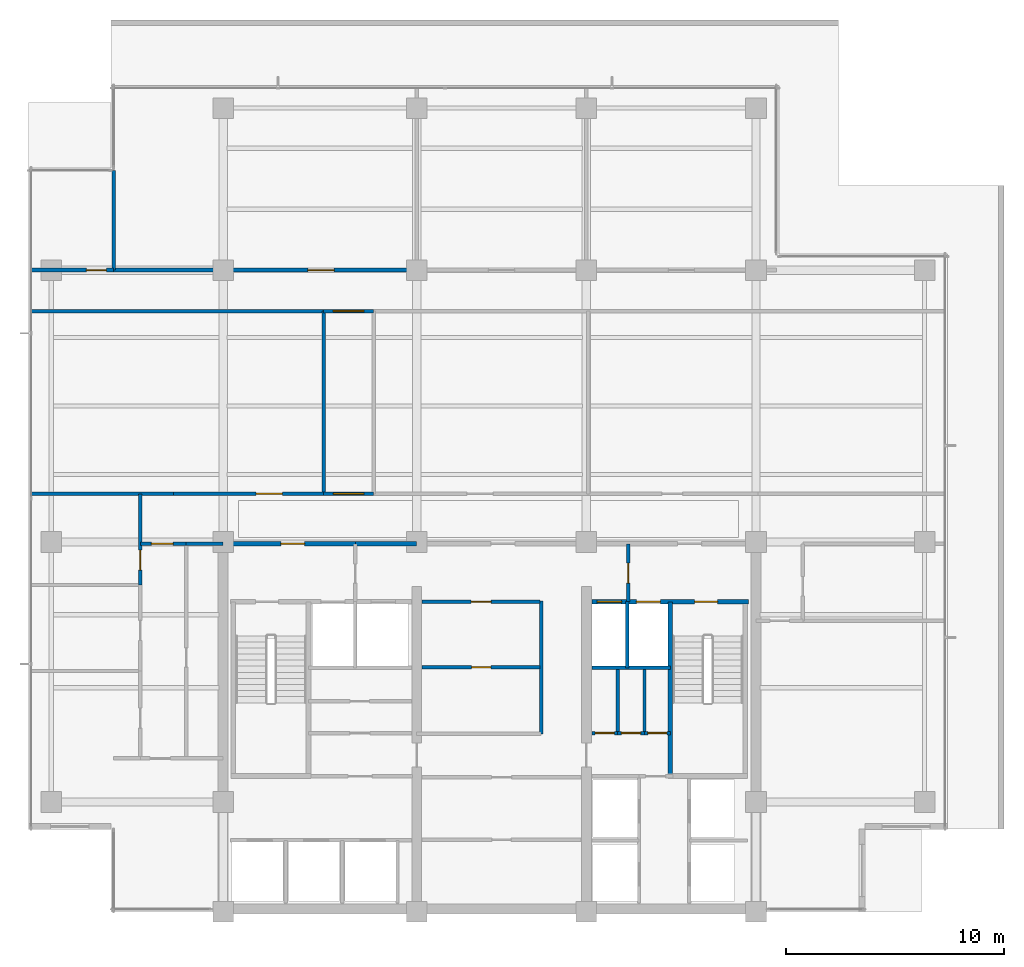
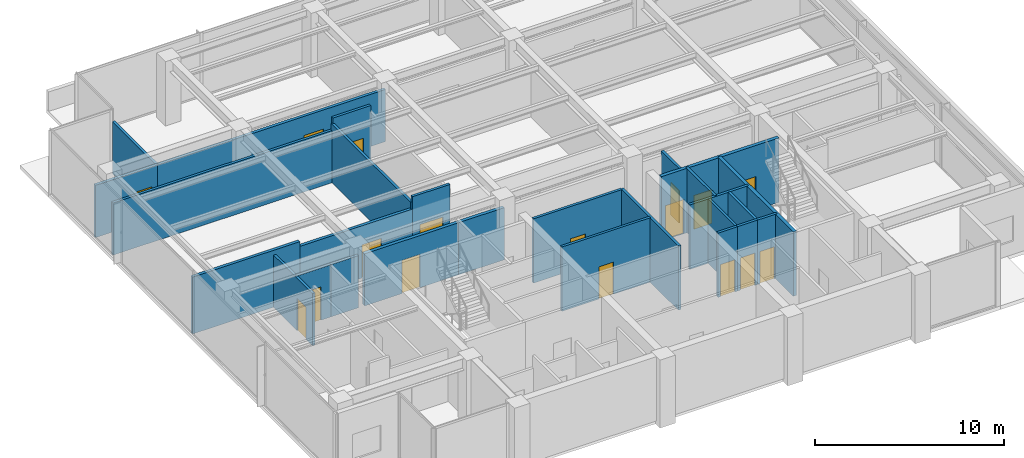
# One storey, part 8 of 14: 27 walls, 17 doors, 17 openings.
"""IFC4 building model written with IfcOpenShell, lengths in metres."""

from ifc_helpers import new_model, si_unit, direction, frame, frame_2d, origin, place, context, subcontext, project, spatial, rectangle, extrude, material, layer, layer_set, type_object, element, fill, save


model = new_model("IFC4")

# Units and contexts
model_context = context("Model", 3, precision=1e-05, world=origin(), true_north=direction((0.0, 1.0)))
body_context = subcontext(model_context, "Body", "Model", "MODEL_VIEW")
ifc_project = project(units=[si_unit("LENGTHUNIT", "METRE"), si_unit("AREAUNIT", "SQUARE_METRE"), si_unit("VOLUMEUNIT", "CUBIC_METRE"), si_unit("PLANEANGLEUNIT", "RADIAN"), si_unit("MASSUNIT", "GRAM", prefix="KILO")], contexts=[model_context])

# Site, building, storey
site_placement = place(None, origin())
site = spatial("IfcSite", under=ifc_project, at=site_placement, CompositionType="ELEMENT")
building_placement = place(site_placement, origin())
building = spatial("IfcBuilding", under=site, at=building_placement, Name="Qalmaran Belvedere Hotel", CompositionType="ELEMENT")
storey_placement = place(building_placement, frame((0.0, 0.0, 192.5)))
storey = spatial("IfcBuildingStorey", under=building, at=storey_placement, Name="L48", CompositionType="ELEMENT", Elevation=192.5)

# Walls
ifc_material_1 = material(Name="Gypsum Stud Partition")
ifc_layer_1 = layer(ifc_material_1, 0.14990234375, Name="Gypsum Stud Partition")
ifc_layer_set_1 = layer_set([ifc_layer_1], Name="Gypsum Stud Partition")
wall_type_1 = type_object("IfcWallType", Name="WL-INT-150-EI120", PredefinedType="PARTITIONING", material=ifc_layer_set_1)
wall_1_placement = place(storey_placement, frame((38.8798828125, 14.719970703125, 0.0), z_axis=(0.0, 0.0, 1.0), x_axis=(0.0, 1.0, 0.0)))
element("IfcWall", 1, at=wall_1_placement, inside=storey, type_object=wall_type_1, Name="L48 Partition WL-FF2M-L48", PredefinedType="PARTITIONING", context=body_context, shape_type="SweptSolid", body=[
    extrude(rectangle(XDim=3.0400390625, YDim=0.14990234375, at=frame_2d((1.52001953125, 0.0))), origin(), (0.0, 0.0, 1.0), 4.159912109375),
])
ifc_layer_2 = layer(ifc_material_1, 0.14990234375, Name="Gypsum Stud Partition")
ifc_layer_set_2 = layer_set([ifc_layer_2], Name="Gypsum Stud Partition")
wall_type_2 = type_object("IfcWallType", Name="WL-INT-150-EI60", PredefinedType="PARTITIONING", material=ifc_layer_set_2)
for number, where, z_axis, x_axis, name in (
    (2, (38.44140625, 11.719970703125, 0.0), (0.0, 0.0, 1.0), (0.0, 1.0, 0.0), "L48 Partition WL-L48-KEV1"),
    (3, (39.668701171875, 11.719970703125, 0.0), (0.0, 0.0, 1.0), (0.0, 1.0, 0.0), "L48 Partition WL-L48-KEV2"),
):
    element("IfcWall", number, at=place(storey_placement, frame(where, z_axis=z_axis, x_axis=x_axis)), inside=storey, type_object=wall_type_2, Name=name, PredefinedType="PARTITIONING", context=body_context, shape_type="SweptSolid", body=[
        extrude(rectangle(XDim=2.929931640625, YDim=0.14990234375, at=frame_2d((1.46484375, 0.0))), origin(), (0.0, 0.0, 1.0), 4.159912109375),
    ])

# Wall, opening, door
wall_2_placement = place(storey_placement, frame((29.449951171875, 14.7451171875, 0.0), z_axis=(0.0, 0.0, 1.0), x_axis=(1.0, 0.0, 0.0)))
wall_2 = element("IfcWall", 4, at=wall_2_placement, inside=storey, type_object=wall_type_2, Name="L48 Partition WL-L48-KPMHM", PredefinedType="PARTITIONING", context=body_context, shape_type="SweptSolid", body=[
    extrude(rectangle(XDim=5.429931640625, YDim=0.14990234375, at=frame_2d((2.71484375, 0.0))), origin(), (0.0, 0.0, 1.0), 4.159912109375),
])
opening_1_placement = place(wall_2_placement, frame((3.15478515625, 0.0, 0.0), z_axis=(0.0, 0.0, 1.0), x_axis=(-1.0, 0.0, 0.0)))
opening_1 = element("IfcOpeningElement", 5, at=opening_1_placement, cuts=wall_2, Name="Opening FD60B", PredefinedType="OPENING", context=body_context, shape_type="SweptSolid", body=[
    extrude(rectangle(XDim=0.8798828125, YDim=2.080078125, at=frame_2d((0.43994140625, 1.0400390625))), frame((0.0, 0.0849609375, 0.0), z_axis=(0.0, -1.0, 0.0), x_axis=(1.0, 0.0, 0.0)), (0.0, 0.0, 1.0), 0.169921875),
])
ifc_material_2 = material(Name="Steel S355JR", Category="steel")
door_type_1 = type_object("IfcDoorType", Name="DR-FD60B-880X2080", OperationType="NOTDEFINED", PredefinedType="DOOR", material=ifc_material_2)
door_1_placement = place(opening_1_placement, origin())
door_1 = element("IfcDoor", 6, at=door_1_placement, inside=storey, type_object=door_type_1, Name="L48 Executive Butler Pantry Door", OperationType="SINGLE_SWING_LEFT", OverallHeight=2.080078125, OverallWidth=0.8798828125, PredefinedType="DOOR", context=body_context, shape_type="SweptSolid", body=[
    extrude(rectangle(XDim=0.8798828125, YDim=2.080078125, at=frame_2d((0.43994140625, 1.0400390625))), frame((0.0, 0.02490234375, 0.0), z_axis=(0.0, -1.0, 0.0), x_axis=(1.0, 0.0, 0.0)), (0.0, 0.0, 1.0), 0.050048828125),
])
fill(opening_1, door_1)

ifc_layer_3 = layer(ifc_material_1, 0.159912109375, Name="Gypsum Stud Partition")
ifc_layer_set_3 = layer_set([ifc_layer_3], Name="Gypsum Stud Partition")
wall_type_3 = type_object("IfcWallType", Name="WL-INT-160-EI120", PredefinedType="PARTITIONING", material=ifc_layer_set_3)
wall_3_placement = place(storey_placement, frame((38.919921875, 17.760009765625, 0.0), z_axis=(0.0, 0.0, 1.0), x_axis=(0.0, 1.0, 0.0)))
wall_3 = element("IfcWall", 7, at=wall_3_placement, inside=storey, type_object=wall_type_3, Name="L48 Partition WL-FFSV2-L48", PredefinedType="PARTITIONING", context=body_context, shape_type="SweptSolid", body=[
    extrude(rectangle(XDim=2.659912109375, YDim=0.159912109375, at=frame_2d((1.330078125, 0.0))), origin(), (0.0, 0.0, 1.0), 3.60595703125),
])
opening_2_placement = place(wall_3_placement, frame((1.77001953125, 0.0, 0.0), z_axis=(0.0, 0.0, 1.0), x_axis=(-1.0, 0.0, 0.0)))
opening_2 = element("IfcOpeningElement", 8, at=opening_2_placement, cuts=wall_3, Name="Opening FD60S1", PredefinedType="OPENING", context=body_context, shape_type="SweptSolid", body=[
    extrude(rectangle(XDim=0.919921875, YDim=2.080078125, at=frame_2d((0.4599609375, 1.0400390625))), frame((0.0, 0.08984375, 0.0), z_axis=(0.0, -1.0, 0.0), x_axis=(1.0, 0.0, 0.0)), (0.0, 0.0, 1.0), 0.179931640625),
])
ifc_material_3 = material(Name="Engineered Oak Veneer")
door_type_2 = type_object("IfcDoorType", Name="DR-FD60S-920X2080", OperationType="NOTDEFINED", PredefinedType="DOOR", material=ifc_material_3)
door_2_placement = place(opening_2_placement, origin())
door_2 = element("IfcDoor", 9, at=door_2_placement, inside=storey, type_object=door_type_2, Name="L48 Service Lobby East Door", OperationType="SINGLE_SWING_LEFT", OverallHeight=2.080078125, OverallWidth=0.919921875, PredefinedType="DOOR", context=body_context, shape_type="SweptSolid", body=[
    extrude(rectangle(XDim=0.919921875, YDim=2.080078125, at=frame_2d((0.4599609375, 1.0400390625))), frame((0.0, 0.02490234375, 0.0), z_axis=(0.0, -1.0, 0.0), x_axis=(1.0, 0.0, 0.0)), (0.0, 0.0, 1.0), 0.050048828125),
])
fill(opening_2, door_2)

# Wall
wall_4_placement = place(storey_placement, frame((37.25, 14.719970703125, 0.0), z_axis=(0.0, 0.0, 1.0), x_axis=(1.0, 0.0, 0.0)))
element("IfcWall", 10, at=wall_4_placement, inside=storey, type_object=wall_type_3, Name="L48 Partition WL-FF2S-L48", PredefinedType="PARTITIONING", context=body_context, shape_type="SweptSolid", body=[
    extrude(rectangle(XDim=3.610107421875, YDim=0.159912109375, at=frame_2d((1.80517578125, 0.0))), origin(), (0.0, 0.0, 1.0), 4.159912109375),
])

# Wall, opening, door
ifc_layer_4 = layer(ifc_material_1, 0.159912109375, Name="Gypsum Stud Partition")
ifc_layer_set_4 = layer_set([ifc_layer_4], Name="Gypsum Stud Partition")
wall_type_4 = type_object("IfcWallType", Name="WL-INT-160-EI60", PredefinedType="PARTITIONING", material=ifc_layer_set_4)
wall_5_placement = place(storey_placement, frame((37.25, 11.719970703125, 0.0), z_axis=(0.0, 0.0, 1.0), x_axis=(1.0, 0.0, 0.0)))
wall_5 = element("IfcWall", 11, at=wall_5_placement, inside=storey, type_object=wall_type_4, Name="L48 Partition WL-L48-KEE1", PredefinedType="PARTITIONING", context=body_context, shape_type="SweptSolid", body=[
    extrude(rectangle(XDim=1.19140625, YDim=0.159912109375, at=frame_2d((0.595703125, 0.0))), origin(), (0.0, 0.0, 1.0), 4.159912109375),
])
opening_3_placement = place(wall_5_placement, frame((0.155517578125, 0.0, 0.0)))
opening_3 = element("IfcOpeningElement", 12, at=opening_3_placement, cuts=wall_5, Name="Opening FD60B", PredefinedType="OPENING", context=body_context, shape_type="SweptSolid", body=[
    extrude(rectangle(XDim=0.8798828125, YDim=2.080078125, at=frame_2d((0.43994140625, 1.0400390625))), frame((0.0, 0.08984375, 0.0), z_axis=(0.0, -1.0, 0.0), x_axis=(1.0, 0.0, 0.0)), (0.0, 0.0, 1.0), 0.179931640625),
])
door_3_placement = place(opening_3_placement, origin())
door_3 = element("IfcDoor", 13, at=door_3_placement, inside=storey, type_object=door_type_1, Name="L48 Hotel Linen Closet Door", OperationType="SINGLE_SWING_LEFT", OverallHeight=2.080078125, OverallWidth=0.8798828125, PredefinedType="DOOR", context=body_context, shape_type="SweptSolid", body=[
    extrude(rectangle(XDim=0.8798828125, YDim=2.080078125, at=frame_2d((0.43994140625, 1.0400390625))), frame((0.0, 0.02490234375, 0.0), z_axis=(0.0, -1.0, 0.0), x_axis=(1.0, 0.0, 0.0)), (0.0, 0.0, 1.0), 0.050048828125),
])
fill(opening_3, door_3)

wall_6_placement = place(storey_placement, frame((38.44140625, 11.719970703125, 0.0), z_axis=(0.0, 0.0, 1.0), x_axis=(1.0, 0.0, 0.0)))
wall_6 = element("IfcWall", 14, at=wall_6_placement, inside=storey, type_object=wall_type_4, Name="L48 Partition WL-L48-KEE2", PredefinedType="PARTITIONING", context=body_context, shape_type="SweptSolid", body=[
    extrude(rectangle(XDim=1.227294921875, YDim=0.159912109375, at=frame_2d((0.61376953125, 0.0))), origin(), (0.0, 0.0, 1.0), 4.159912109375),
])
opening_4_placement = place(wall_6_placement, frame((0.173583984375, 0.0, 0.0)))
opening_4 = element("IfcOpeningElement", 15, at=opening_4_placement, cuts=wall_6, Name="Opening FD60B", PredefinedType="OPENING", context=body_context, shape_type="SweptSolid", body=[
    extrude(rectangle(XDim=0.8798828125, YDim=2.080078125, at=frame_2d((0.43994140625, 1.0400390625))), frame((0.0, 0.08984375, 0.0), z_axis=(0.0, -1.0, 0.0), x_axis=(1.0, 0.0, 0.0)), (0.0, 0.0, 1.0), 0.179931640625),
])
door_4_placement = place(opening_4_placement, origin())
door_4 = element("IfcDoor", 16, at=door_4_placement, inside=storey, type_object=door_type_1, Name="L48 Guest Ice and Beverage Pantry Door", OperationType="SINGLE_SWING_RIGHT", OverallHeight=2.080078125, OverallWidth=0.8798828125, PredefinedType="DOOR", context=body_context, shape_type="SweptSolid", body=[
    extrude(rectangle(XDim=0.8798828125, YDim=2.080078125, at=frame_2d((0.43994140625, 1.0400390625))), frame((0.0, 0.02490234375, 0.0), z_axis=(0.0, -1.0, 0.0), x_axis=(1.0, 0.0, 0.0)), (0.0, 0.0, 1.0), 0.050048828125),
])
fill(opening_4, door_4)

wall_7_placement = place(storey_placement, frame((39.668701171875, 11.719970703125, 0.0), z_axis=(0.0, 0.0, 1.0), x_axis=(1.0, 0.0, 0.0)))
wall_7 = element("IfcWall", 17, at=wall_7_placement, inside=storey, type_object=wall_type_4, Name="L48 Partition WL-L48-KEE3", PredefinedType="PARTITIONING", context=body_context, shape_type="SweptSolid", body=[
    extrude(rectangle(XDim=1.19140625, YDim=0.159912109375, at=frame_2d((0.595703125, 0.0))), origin(), (0.0, 0.0, 1.0), 4.159912109375),
])
opening_5_placement = place(wall_7_placement, frame((0.155517578125, 0.0, 0.0)))
opening_5 = element("IfcOpeningElement", 18, at=opening_5_placement, cuts=wall_7, Name="Opening FD60B", PredefinedType="OPENING", context=body_context, shape_type="SweptSolid", body=[
    extrude(rectangle(XDim=0.8798828125, YDim=2.080078125, at=frame_2d((0.43994140625, 1.0400390625))), frame((0.0, 0.08984375, 0.0), z_axis=(0.0, -1.0, 0.0), x_axis=(1.0, 0.0, 0.0)), (0.0, 0.0, 1.0), 0.179931640625),
])
door_5_placement = place(opening_5_placement, origin())
door_5 = element("IfcDoor", 19, at=door_5_placement, inside=storey, type_object=door_type_1, Name="L48 Cleaner Equipment Store Door", OperationType="SINGLE_SWING_LEFT", OverallHeight=2.080078125, OverallWidth=0.8798828125, PredefinedType="DOOR", context=body_context, shape_type="SweptSolid", body=[
    extrude(rectangle(XDim=0.8798828125, YDim=2.080078125, at=frame_2d((0.43994140625, 1.0400390625))), frame((0.0, 0.02490234375, 0.0), z_axis=(0.0, -1.0, 0.0), x_axis=(1.0, 0.0, 0.0)), (0.0, 0.0, 1.0), 0.050048828125),
])
fill(opening_5, door_5)

# Wall
wall_8_placement = place(storey_placement, frame((34.919921875, 11.679931640625, 0.0), z_axis=(0.0, 0.0, 1.0), x_axis=(0.0, 1.0, 0.0)))
element("IfcWall", 20, at=wall_8_placement, inside=storey, type_object=wall_type_4, Name="L48 Partition WL-CLLV-L48", PredefinedType="PARTITIONING", context=body_context, shape_type="SweptSolid", body=[
    extrude(rectangle(XDim=6.10009765625, YDim=0.159912109375, at=frame_2d((3.050048828125, 0.0))), origin(), (0.0, 0.0, 1.0), 4.159912109375),
])

# Wall, opening, door
wall_9_placement = place(storey_placement, frame((29.449951171875, 17.75, 0.0), z_axis=(0.0, 0.0, 1.0), x_axis=(1.0, 0.0, 0.0)))
wall_9 = element("IfcWall", 21, at=wall_9_placement, inside=storey, type_object=wall_type_4, Name="L48 Partition WL-L48-KPME1", PredefinedType="PARTITIONING", context=body_context, shape_type="SweptSolid", body=[
    extrude(rectangle(XDim=5.429931640625, YDim=0.159912109375, at=frame_2d((2.71484375, 0.0))), origin(), (0.0, 0.0, 1.0), 4.159912109375),
])
opening_6_placement = place(wall_9_placement, frame((3.1748046875, 0.0, 0.0), z_axis=(0.0, 0.0, 1.0), x_axis=(-1.0, 0.0, 0.0)))
opening_6 = element("IfcOpeningElement", 22, at=opening_6_placement, cuts=wall_9, Name="Opening FD60S1", PredefinedType="OPENING", context=body_context, shape_type="SweptSolid", body=[
    extrude(rectangle(XDim=0.919921875, YDim=2.080078125, at=frame_2d((0.4599609375, 1.0400390625))), frame((0.0, 0.08984375, 0.0), z_axis=(0.0, -1.0, 0.0), x_axis=(1.0, 0.0, 0.0)), (0.0, 0.0, 1.0), 0.179931640625),
])
door_6_placement = place(opening_6_placement, origin())
door_6 = element("IfcDoor", 23, at=door_6_placement, inside=storey, type_object=door_type_2, Name="L48 Core Tableware Store Door", OperationType="SINGLE_SWING_RIGHT", OverallHeight=2.080078125, OverallWidth=0.919921875, PredefinedType="DOOR", context=body_context, shape_type="SweptSolid", body=[
    extrude(rectangle(XDim=0.919921875, YDim=2.080078125, at=frame_2d((0.4599609375, 1.0400390625))), frame((0.0, 0.02490234375, 0.0), z_axis=(0.0, -1.0, 0.0), x_axis=(1.0, 0.0, 0.0)), (0.0, 0.0, 1.0), 0.050048828125),
])
fill(opening_6, door_6)

wall_10_placement = place(storey_placement, frame((16.5, 18.52001953125, 0.0), z_axis=(0.0, 0.0, 1.0), x_axis=(0.0, 1.0, 0.0)))
wall_10 = element("IfcWall", 24, at=wall_10_placement, inside=storey, type_object=wall_type_4, Name="L48 Partition WL-L48-WCC3", PredefinedType="PARTITIONING", context=body_context, shape_type="SweptSolid", body=[
    extrude(rectangle(XDim=4.199951171875, YDim=0.159912109375, at=frame_2d((2.10009765625, 0.0))), origin(), (0.0, 0.0, 1.0), 3.3720703125),
])
opening_7_placement = place(wall_10_placement, frame((0.693359375, 0.0, 0.0)))
opening_7 = element("IfcOpeningElement", 25, at=opening_7_placement, cuts=wall_10, Name="Opening FD60S1", PredefinedType="OPENING", context=body_context, shape_type="SweptSolid", body=[
    extrude(rectangle(XDim=0.919921875, YDim=2.080078125, at=frame_2d((0.4599609375, 1.0400390625))), frame((0.0, 0.08984375, 0.0), z_axis=(0.0, -1.0, 0.0), x_axis=(1.0, 0.0, 0.0)), (0.0, 0.0, 1.0), 0.179931640625),
])
door_7_placement = place(opening_7_placement, origin())
door_7 = element("IfcDoor", 26, at=door_7_placement, inside=storey, type_object=door_type_2, Name="L48 Accessible WC Door", OperationType="SINGLE_SWING_LEFT", OverallHeight=2.080078125, OverallWidth=0.919921875, PredefinedType="DOOR", context=body_context, shape_type="SweptSolid", body=[
    extrude(rectangle(XDim=0.919921875, YDim=2.080078125, at=frame_2d((0.4599609375, 1.0400390625))), frame((0.0, 0.02490234375, 0.0), z_axis=(0.0, -1.0, 0.0), x_axis=(1.0, 0.0, 0.0)), (0.0, 0.0, 1.0), 0.050048828125),
])
fill(opening_7, door_7)

# Wall
wall_11_placement = place(storey_placement, frame((18.60009765625, 20.419921875, 0.0), z_axis=(0.0, 0.0, 1.0), x_axis=(1.0, 0.0, 0.0)))
element("IfcWall", 27, at=wall_11_placement, inside=storey, type_object=wall_type_4, Name="L48 Partition WL-L48-WCCEN", PredefinedType="PARTITIONING", context=body_context, shape_type="SweptSolid", body=[
    extrude(rectangle(XDim=1.699951171875, YDim=0.159912109375, at=frame_2d((0.85009765625, 0.0))), origin(), (0.0, 0.0, 1.0), 3.3720703125),
])

# Wall, opening, door
wall_12_placement = place(storey_placement, frame((16.5, 20.419921875, 0.0), z_axis=(0.0, 0.0, 1.0), x_axis=(1.0, 0.0, 0.0)))
wall_12 = element("IfcWall", 28, at=wall_12_placement, inside=storey, type_object=wall_type_4, Name="L48 Partition WL-L48-XCRW", PredefinedType="PARTITIONING", context=body_context, shape_type="SweptSolid", body=[
    extrude(rectangle(XDim=2.10009765625, YDim=0.159912109375, at=frame_2d((1.050048828125, 0.0))), origin(), (0.0, 0.0, 1.0), 3.3720703125),
])
opening_8_placement = place(wall_12_placement, frame((0.5, 0.0, 0.0)))
opening_8 = element("IfcOpeningElement", 29, at=opening_8_placement, cuts=wall_12, Name="Opening FD90B", PredefinedType="OPENING", context=body_context, shape_type="SweptSolid", body=[
    extrude(rectangle(XDim=1.0, YDim=2.14990234375, at=frame_2d((0.5, 1.074951171875))), frame((0.0, 0.08984375, 0.0), z_axis=(0.0, -1.0, 0.0), x_axis=(1.0, 0.0, 0.0)), (0.0, 0.0, 1.0), 0.179931640625),
])
door_type_3 = type_object("IfcDoorType", Name="DR-FD90B-1000X2150", OperationType="NOTDEFINED", PredefinedType="DOOR", material=ifc_material_2)
door_8_placement = place(opening_8_placement, origin())
door_8 = element("IfcDoor", 30, at=door_8_placement, inside=storey, type_object=door_type_3, Name="L48 Restroom Corridor Door", OperationType="SINGLE_SWING_LEFT", OverallHeight=2.14990234375, OverallWidth=1.0, PredefinedType="DOOR", context=body_context, shape_type="SweptSolid", body=[
    extrude(rectangle(XDim=1.0, YDim=2.14990234375, at=frame_2d((0.5, 1.074951171875))), frame((0.0, 0.02490234375, 0.0), z_axis=(0.0, -1.0, 0.0), x_axis=(1.0, 0.0, 0.0)), (0.0, 0.0, 1.0), 0.050048828125),
])
fill(opening_8, door_8)

# Walls
wall_13_placement = place(storey_placement, frame((15.27001953125, 33.0, 0.0), z_axis=(0.0, 0.0, 1.0), x_axis=(0.0, 1.0, 0.0)))
element("IfcWall", 31, at=wall_13_placement, inside=storey, type_object=wall_type_4, Name="L48 Partition WL-L48-VNWE", PredefinedType="PARTITIONING", context=body_context, shape_type="SweptSolid", body=[
    extrude(rectangle(XDim=4.580078125, YDim=0.159912109375, at=frame_2d((2.2900390625, 0.0))), origin(), (0.0, 0.0, 1.0), 3.3720703125),
])
wall_14_placement = place(storey_placement, frame((24.919921875, 22.719970703125, 0.0), z_axis=(0.0, 0.0, 1.0), x_axis=(0.0, 1.0, 0.0)))
element("IfcWall", 32, at=wall_14_placement, inside=storey, type_object=wall_type_4, Name="L48 Partition WL-L48-NPW", PredefinedType="PARTITIONING", context=body_context, shape_type="SweptSolid", body=[
    extrude(rectangle(XDim=8.400146484375, YDim=0.159912109375, at=frame_2d((4.2001953125, 0.0))), origin(), (0.0, 0.0, 1.0), 3.787109375),
])

# Wall, opening, door
wall_15_placement = place(storey_placement, frame((24.919921875, 22.719970703125, 0.0), z_axis=(0.0, 0.0, 1.0), x_axis=(1.0, 0.0, 0.0)))
wall_15 = element("IfcWall", 33, at=wall_15_placement, inside=storey, type_object=wall_type_4, Name="L48 Partition WL-L48-XNPS", PredefinedType="PARTITIONING", context=body_context, shape_type="SweptSolid", body=[
    extrude(rectangle(XDim=2.300048828125, YDim=0.159912109375, at=frame_2d((1.14990234375, 0.0))), origin(), (0.0, 0.0, 1.0), 4.159912109375),
])
opening_9_placement = place(wall_15_placement, frame((0.449951171875, 0.0, 0.0)))
opening_9 = element("IfcOpeningElement", 34, at=opening_9_placement, cuts=wall_15, Name="Opening FD90D", PredefinedType="OPENING", context=body_context, shape_type="SweptSolid", body=[
    extrude(rectangle(XDim=1.39990234375, YDim=2.199951171875, at=frame_2d((0.699951171875, 1.10009765625))), frame((0.0, 0.08984375, 0.0), z_axis=(0.0, -1.0, 0.0), x_axis=(1.0, 0.0, 0.0)), (0.0, 0.0, 1.0), 0.179931640625),
])
door_type_4 = type_object("IfcDoorType", Name="DR-FD90D-1400X2200", OperationType="NOTDEFINED", PredefinedType="DOOR", material=ifc_material_2)
door_9_placement = place(opening_9_placement, origin())
door_9 = element("IfcDoor", 35, at=door_9_placement, inside=storey, type_object=door_type_4, Name="L48 Promenade South Door", OperationType="DOUBLE_DOOR_SINGLE_SWING", OverallHeight=2.199951171875, OverallWidth=1.39990234375, PredefinedType="DOOR", context=body_context, shape_type="SweptSolid", body=[
    extrude(rectangle(XDim=1.39990234375, YDim=2.199951171875, at=frame_2d((0.699951171875, 1.10009765625))), frame((0.0, 0.02490234375, 0.0), z_axis=(0.0, -1.0, 0.0), x_axis=(1.0, 0.0, 0.0)), (0.0, 0.0, 1.0), 0.050048828125),
])
fill(opening_9, door_9)

wall_16_placement = place(storey_placement, frame((24.919921875, 31.1201171875, 0.0), z_axis=(0.0, 0.0, 1.0), x_axis=(1.0, 0.0, 0.0)))
wall_16 = element("IfcWall", 36, at=wall_16_placement, inside=storey, type_object=wall_type_4, Name="L48 Partition WL-L48-XNPN", PredefinedType="PARTITIONING", context=body_context, shape_type="SweptSolid", body=[
    extrude(rectangle(XDim=2.300048828125, YDim=0.159912109375, at=frame_2d((1.14990234375, 0.0))), origin(), (0.0, 0.0, 1.0), 4.159912109375),
])
opening_10_placement = place(wall_16_placement, frame((0.449951171875, 0.0, 0.0)))
opening_10 = element("IfcOpeningElement", 37, at=opening_10_placement, cuts=wall_16, Name="Opening FD90D", PredefinedType="OPENING", context=body_context, shape_type="SweptSolid", body=[
    extrude(rectangle(XDim=1.39990234375, YDim=2.199951171875, at=frame_2d((0.699951171875, 1.10009765625))), frame((0.0, 0.08984375, 0.0), z_axis=(0.0, -1.0, 0.0), x_axis=(1.0, 0.0, 0.0)), (0.0, 0.0, 1.0), 0.179931640625),
])
door_10_placement = place(opening_10_placement, origin())
door_10 = element("IfcDoor", 38, at=door_10_placement, inside=storey, type_object=door_type_4, Name="L48 Promenade North Door", OperationType="DOUBLE_DOOR_SINGLE_SWING", OverallHeight=2.199951171875, OverallWidth=1.39990234375, PredefinedType="DOOR", context=body_context, shape_type="SweptSolid", body=[
    extrude(rectangle(XDim=1.39990234375, YDim=2.199951171875, at=frame_2d((0.699951171875, 1.10009765625))), frame((0.0, 0.02490234375, 0.0), z_axis=(0.0, -1.0, 0.0), x_axis=(1.0, 0.0, 0.0)), (0.0, 0.0, 1.0), 0.050048828125),
])
fill(opening_10, door_10)

# Walls
wall_17_placement = place(storey_placement, frame((11.469970703125, 31.1201171875, 0.0), z_axis=(0.0, 0.0, 1.0), x_axis=(1.0, 0.0, 0.0)))
element("IfcWall", 39, at=wall_17_placement, inside=storey, type_object=wall_type_4, Name="L48 Partition WL-L48-NGS1", PredefinedType="PARTITIONING", context=body_context, shape_type="SweptSolid", body=[
    extrude(rectangle(XDim=13.449951171875, YDim=0.159912109375, at=frame_2d((6.72509765625, 0.0))), origin(), (0.0, 0.0, 1.0), 3.3720703125),
])
ifc_layer_5 = layer(ifc_material_1, 0.179931640625, Name="Gypsum Stud Partition")
ifc_layer_set_5 = layer_set([ifc_layer_5], Name="Gypsum Stud Partition")
wall_type_5 = type_object("IfcWallType", Name="WL-INT-180-EI60", PredefinedType="PARTITIONING", material=ifc_layer_set_5)
wall_18_placement = place(storey_placement, frame((11.469970703125, 22.719970703125, 0.0), z_axis=(0.0, 0.0, 1.0), x_axis=(1.0, 0.0, 0.0)))
element("IfcWall", 40, at=wall_18_placement, inside=storey, type_object=wall_type_5, Name="L48 Partition WL-L48-WCN", PredefinedType="PARTITIONING", context=body_context, shape_type="SweptSolid", body=[
    extrude(rectangle(XDim=6.550048828125, YDim=0.179931640625, at=frame_2d((3.27490234375, 0.0))), origin(), (0.0, 0.0, 1.0), 3.681884765625),
])

# Wall, opening, door
wall_19_placement = place(storey_placement, frame((11.469970703125, 33.0, 0.0), z_axis=(0.0, 0.0, 1.0), x_axis=(1.0, 0.0, 0.0)))
wall_19 = element("IfcWall", 41, at=wall_19_placement, inside=storey, type_object=wall_type_5, Name="L48 Partition WL-L48-VNWS", PredefinedType="PARTITIONING", context=body_context, shape_type="SweptSolid", body=[
    extrude(rectangle(XDim=3.800048828125, YDim=0.179931640625, at=frame_2d((1.89990234375, 0.0))), origin(), (0.0, 0.0, 1.0), 3.3720703125),
])
opening_11_placement = place(wall_19_placement, frame((2.543701171875, 0.0, 0.0)))
opening_11 = element("IfcOpeningElement", 42, at=opening_11_placement, cuts=wall_19, Name="Opening FD60S1", PredefinedType="OPENING", context=body_context, shape_type="SweptSolid", body=[
    extrude(rectangle(XDim=0.919921875, YDim=2.080078125, at=frame_2d((0.4599609375, 1.0400390625))), frame((0.0, 0.10009765625, 0.0), z_axis=(0.0, -1.0, 0.0), x_axis=(1.0, 0.0, 0.0)), (0.0, 0.0, 1.0), 0.199951171875),
])
door_11_placement = place(opening_11_placement, origin())
door_11 = element("IfcDoor", 43, at=door_11_placement, inside=storey, type_object=door_type_2, Name="L48 NW Sky Salon Door", OperationType="SINGLE_SWING_RIGHT", OverallHeight=2.080078125, OverallWidth=0.919921875, PredefinedType="DOOR", context=body_context, shape_type="SweptSolid", body=[
    extrude(rectangle(XDim=0.919921875, YDim=2.080078125, at=frame_2d((0.4599609375, 1.0400390625))), frame((0.0, 0.02490234375, 0.0), z_axis=(0.0, -1.0, 0.0), x_axis=(1.0, 0.0, 0.0)), (0.0, 0.0, 1.0), 0.050048828125),
])
fill(opening_11, door_11)

wall_20_placement = place(storey_placement, frame((18.02001953125, 22.719970703125, 0.0), z_axis=(0.0, 0.0, 1.0), x_axis=(1.0, 0.0, 0.0)))
wall_20 = element("IfcWall", 44, at=wall_20_placement, inside=storey, type_object=wall_type_5, Name="L48 Partition WL-L48-MCS1", PredefinedType="PARTITIONING", context=body_context, shape_type="SweptSolid", body=[
    extrude(rectangle(XDim=6.89990234375, YDim=0.179931640625, at=frame_2d((3.449951171875, 0.0))), origin(), (0.0, 0.0, 1.0), 3.3720703125),
])
opening_12_placement = place(wall_20_placement, frame((3.800048828125, 0.0, 0.0)))
opening_12 = element("IfcOpeningElement", 45, at=opening_12_placement, cuts=wall_20, Name="Opening FD60P", PredefinedType="OPENING", context=body_context, shape_type="SweptSolid", body=[
    extrude(rectangle(XDim=1.199951171875, YDim=2.139892578125, at=frame_2d((0.60009765625, 1.06982421875))), frame((0.0, 0.10009765625, 0.0), z_axis=(0.0, -1.0, 0.0), x_axis=(1.0, 0.0, 0.0)), (0.0, 0.0, 1.0), 0.199951171875),
])
door_type_5 = type_object("IfcDoorType", Name="DR-FD60P-1200X2140", OperationType="NOTDEFINED", PredefinedType="DOOR", material=ifc_material_3)
door_12_placement = place(opening_12_placement, origin())
door_12 = element("IfcDoor", 46, at=door_12_placement, inside=storey, type_object=door_type_5, Name="L48 Upper Sky Lobby Reception Door", OperationType="DOUBLE_DOOR_SINGLE_SWING", OverallHeight=2.139892578125, OverallWidth=1.199951171875, PredefinedType="DOOR", context=body_context, shape_type="SweptSolid", body=[
    extrude(rectangle(XDim=1.199951171875, YDim=2.139892578125, at=frame_2d((0.60009765625, 1.06982421875))), frame((0.0, 0.02490234375, 0.0), z_axis=(0.0, -1.0, 0.0), x_axis=(1.0, 0.0, 0.0)), (0.0, 0.0, 1.0), 0.050048828125),
])
fill(opening_12, door_12)

wall_21_placement = place(storey_placement, frame((15.27001953125, 33.0, 0.0), z_axis=(0.0, 0.0, 1.0), x_axis=(1.0, 0.0, 0.0)))
wall_21 = element("IfcWall", 47, at=wall_21_placement, inside=storey, type_object=wall_type_5, Name="L48 Partition WL-L48-NF33D1", PredefinedType="PARTITIONING", context=body_context, shape_type="SweptSolid", body=[
    extrude(rectangle(XDim=13.929931640625, YDim=0.179931640625, at=frame_2d((6.96484375, 0.0))), origin(), (0.0, 0.0, 1.0), 3.3720703125),
])
opening_13_placement = place(wall_21_placement, frame((8.930419921875, 0.0, 0.0)))
opening_13 = element("IfcOpeningElement", 48, at=opening_13_placement, cuts=wall_21, Name="Opening FD60P", PredefinedType="OPENING", context=body_context, shape_type="SweptSolid", body=[
    extrude(rectangle(XDim=1.199951171875, YDim=2.139892578125, at=frame_2d((0.60009765625, 1.06982421875))), frame((0.0, 0.10009765625, 0.0), z_axis=(0.0, -1.0, 0.0), x_axis=(1.0, 0.0, 0.0)), (0.0, 0.0, 1.0), 0.199951171875),
])
door_13_placement = place(opening_13_placement, origin())
door_13 = element("IfcDoor", 49, at=door_13_placement, inside=storey, type_object=door_type_5, Name="L48 Upper Sky Lounge West Door", OperationType="DOUBLE_DOOR_SINGLE_SWING", OverallHeight=2.139892578125, OverallWidth=1.199951171875, PredefinedType="DOOR", context=body_context, shape_type="SweptSolid", body=[
    extrude(rectangle(XDim=1.199951171875, YDim=2.139892578125, at=frame_2d((0.60009765625, 1.06982421875))), frame((0.0, 0.02490234375, 0.0), z_axis=(0.0, -1.0, 0.0), x_axis=(1.0, 0.0, 0.0)), (0.0, 0.0, 1.0), 0.050048828125),
])
fill(opening_13, door_13)

ifc_material_4 = material(Name="Concrete C30/37 Blockwork", Category="masonry")
ifc_layer_6 = layer(ifc_material_4, 0.199951171875, Name="Concrete C30/37 Blockwork")
ifc_layer_set_6 = layer_set([ifc_layer_6], Name="Concrete C30/37 Blockwork")
wall_type_6 = type_object("IfcWallType", Name="WL-INT-200-EI120", PredefinedType="PARTITIONING", material=ifc_layer_set_6)
wall_22_placement = place(storey_placement, frame((20.64990234375, 20.419921875, 0.0), z_axis=(0.0, 0.0, 1.0), x_axis=(1.0, 0.0, 0.0)))
wall_22 = element("IfcWall", 50, at=wall_22_placement, inside=storey, type_object=wall_type_6, Name="L48 Partition WL-CN1A-L48", PredefinedType="PARTITIONING", context=body_context, shape_type="SweptSolid", body=[
    extrude(rectangle(XDim=5.72998046875, YDim=0.199951171875, at=frame_2d((2.864990234375, 0.0))), origin(), (0.0, 0.0, 1.0), 3.3720703125),
])
opening_14_placement = place(wall_22_placement, frame((2.300048828125, 0.0, 0.0)))
opening_14 = element("IfcOpeningElement", 51, at=opening_14_placement, cuts=wall_22, Name="Opening FD90", PredefinedType="OPENING", context=body_context, shape_type="SweptSolid", body=[
    extrude(rectangle(XDim=1.10009765625, YDim=2.14990234375, at=frame_2d((0.550048828125, 1.074951171875))), frame((0.0, 0.10986328125, 0.0), z_axis=(0.0, -1.0, 0.0), x_axis=(1.0, 0.0, 0.0)), (0.0, 0.0, 1.0), 0.219970703125),
])
door_type_6 = type_object("IfcDoorType", Name="DR-FD90-1100X2150", OperationType="NOTDEFINED", PredefinedType="DOOR", material=ifc_material_2)
door_14_placement = place(opening_14_placement, origin())
door_14 = element("IfcDoor", 52, at=door_14_placement, inside=storey, type_object=door_type_6, Name="L48 FF1 Lobby Corridor Door", OperationType="SINGLE_SWING_RIGHT", OverallHeight=2.14990234375, OverallWidth=1.10009765625, PredefinedType="DOOR", context=body_context, shape_type="SweptSolid", body=[
    extrude(rectangle(XDim=1.10009765625, YDim=2.14990234375, at=frame_2d((0.550048828125, 1.074951171875))), frame((0.0, 0.02490234375, 0.0), z_axis=(0.0, -1.0, 0.0), x_axis=(1.0, 0.0, 0.0)), (0.0, 0.0, 1.0), 0.050048828125),
])
fill(opening_14, door_14)

# Walls
wall_23_placement = place(storey_placement, frame((26.3798828125, 20.419921875, 0.0), z_axis=(0.0, 0.0, 1.0), x_axis=(1.0, 0.0, 0.0)))
element("IfcWall", 53, at=wall_23_placement, inside=storey, type_object=wall_type_6, Name="L48 Partition WL-CN1B-L48", PredefinedType="PARTITIONING", context=body_context, shape_type="SweptSolid", body=[
    extrude(rectangle(XDim=2.820068359375, YDim=0.199951171875, at=frame_2d((1.41015625, 0.0))), origin(), (0.0, 0.0, 1.0), 3.3720703125),
])
ifc_material_5 = material(Name="Concrete C50/60", Category="concrete")
ifc_layer_7 = layer(ifc_material_5, 0.2099609375, Name="Concrete C50/60")
ifc_layer_set_7 = layer_set([ifc_layer_7], Name="Concrete C50/60")
wall_type_7 = type_object("IfcWallType", Name="WL-STAIR-210-C50", PredefinedType="SHEAR", material=ifc_layer_set_7)
wall_24_placement = place(storey_placement, frame((40.85498046875, 9.7451171875, 0.0), z_axis=(0.0, 0.0, 1.0), x_axis=(0.0, 1.0, 0.0)))
element("IfcWall", 54, at=wall_24_placement, inside=storey, type_object=wall_type_7, Name="L48 Stair ST-2 West Bearing Wall", PredefinedType="SHEAR", context=body_context, shape_type="SweptSolid", body=[
    extrude(rectangle(XDim=8.009765625, YDim=0.2099609375, at=frame_2d((4.0048828125, 0.0))), origin(), (0.0, 0.0, 1.0), 4.159912109375),
])

# Wall, openings, doors
wall_25_placement = place(storey_placement, frame((37.25, 17.7548828125, 0.0), z_axis=(0.0, 0.0, 1.0), x_axis=(1.0, 0.0, 0.0)))
wall_25 = element("IfcWall", 55, at=wall_25_placement, inside=storey, type_object=wall_type_7, Name="L48 East Lobby and Stair ST-2 North Bearing Wall", PredefinedType="SHEAR", context=body_context, shape_type="SweptSolid", body=[
    extrude(rectangle(XDim=7.199951171875, YDim=0.2099609375, at=frame_2d((3.60009765625, 0.0))), origin(), (0.0, 0.0, 1.0), 4.159912109375),
])
opening_15_placement = place(wall_25_placement, frame((0.25, 0.0, 0.0)))
opening_15 = element("IfcOpeningElement", 56, at=opening_15_placement, cuts=wall_25, Name="Opening LD-SV", PredefinedType="OPENING", context=body_context, shape_type="SweptSolid", body=[
    extrude(rectangle(XDim=1.1201171875, YDim=2.199951171875, at=frame_2d((0.56005859375, 1.10009765625))), frame((0.0, 0.114990234375, 0.0), z_axis=(0.0, -1.0, 0.0), x_axis=(1.0, 0.0, 0.0)), (0.0, 0.0, 1.0), 0.22998046875),
])
opening_16_placement = place(wall_25_placement, frame((2.050048828125, 0.0, 0.0)))
opening_16 = element("IfcOpeningElement", 57, at=opening_16_placement, cuts=wall_25, Name="Opening LD-FF", PredefinedType="OPENING", context=body_context, shape_type="SweptSolid", body=[
    extrude(rectangle(XDim=1.10009765625, YDim=2.179931640625, at=frame_2d((0.550048828125, 1.08984375))), frame((0.0, 0.114990234375, 0.0), z_axis=(0.0, -1.0, 0.0), x_axis=(1.0, 0.0, 0.0)), (0.0, 0.0, 1.0), 0.22998046875),
])
opening_17_placement = place(wall_25_placement, frame((5.780029296875, 0.0, 0.0), z_axis=(0.0, 0.0, 1.0), x_axis=(-1.0, 0.0, 0.0)))
opening_17 = element("IfcOpeningElement", 58, at=opening_17_placement, cuts=wall_25, Name="Opening FD90S2", PredefinedType="OPENING", context=body_context, shape_type="SweptSolid", body=[
    extrude(rectangle(XDim=1.050048828125, YDim=2.14990234375, at=frame_2d((0.52490234375, 1.074951171875))), frame((0.0, 0.114990234375, 0.0), z_axis=(0.0, -1.0, 0.0), x_axis=(1.0, 0.0, 0.0)), (0.0, 0.0, 1.0), 0.22998046875),
])
door_type_7 = type_object("IfcDoorType", Name="DR-FD90S-1050X2150", OperationType="NOTDEFINED", PredefinedType="DOOR", material=ifc_material_2)
door_15_placement = place(opening_17_placement, origin())
door_15 = element("IfcDoor", 59, at=door_15_placement, inside=storey, type_object=door_type_7, Name="L48 Stair ST-2 Door", OperationType="SINGLE_SWING_LEFT", OverallHeight=2.14990234375, OverallWidth=1.050048828125, PredefinedType="DOOR", context=body_context, shape_type="SweptSolid", body=[
    extrude(rectangle(XDim=1.050048828125, YDim=2.14990234375, at=frame_2d((0.52490234375, 1.074951171875))), frame((0.0, 0.02490234375, 0.0), z_axis=(0.0, -1.0, 0.0), x_axis=(1.0, 0.0, 0.0)), (0.0, 0.0, 1.0), 0.050048828125),
])
fill(opening_17, door_15)
ifc_material_6 = material(Name="Stainless Steel 1.4401", Category="steel")
door_type_8 = type_object("IfcDoorType", Name="DR-LIFT-FF-1100X2180", OperationType="DOUBLE_DOOR_SLIDING", PredefinedType="DOOR", material=ifc_material_6)
door_16_placement = place(opening_16_placement, origin())
door_16 = element("IfcDoor", 60, at=door_16_placement, inside=storey, type_object=door_type_8, Name="L48 FF2 Lift Landing Door", OperationType="DOUBLE_DOOR_SLIDING", OverallHeight=2.179931640625, OverallWidth=1.10009765625, PredefinedType="DOOR", context=body_context, shape_type="SweptSolid", body=[
    extrude(rectangle(XDim=1.10009765625, YDim=2.179931640625, at=frame_2d((0.550048828125, 1.08984375))), frame((0.0, 0.02490234375, 0.0), z_axis=(0.0, -1.0, 0.0), x_axis=(1.0, 0.0, 0.0)), (0.0, 0.0, 1.0), 0.050048828125),
])
fill(opening_16, door_16)
door_type_9 = type_object("IfcDoorType", Name="DR-LIFT-SV-1120X2200", OperationType="DOUBLE_DOOR_SLIDING", PredefinedType="DOOR", material=ifc_material_6)
door_17_placement = place(opening_15_placement, origin())
door_17 = element("IfcDoor", 61, at=door_17_placement, inside=storey, type_object=door_type_9, Name="L48 SV2 Lift Landing Door", OperationType="DOUBLE_DOOR_SLIDING", OverallHeight=2.199951171875, OverallWidth=1.1201171875, PredefinedType="DOOR", context=body_context, shape_type="SweptSolid", body=[
    extrude(rectangle(XDim=1.1201171875, YDim=2.199951171875, at=frame_2d((0.56005859375, 1.10009765625))), frame((0.0, 0.02490234375, 0.0), z_axis=(0.0, -1.0, 0.0), x_axis=(1.0, 0.0, 0.0)), (0.0, 0.0, 1.0), 0.050048828125),
])
fill(opening_15, door_17)

save(model, "model.ifc")
